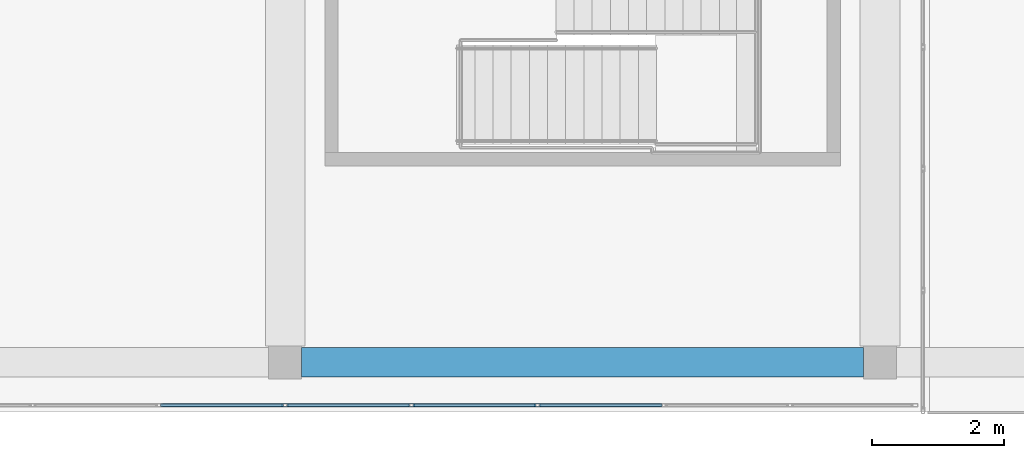
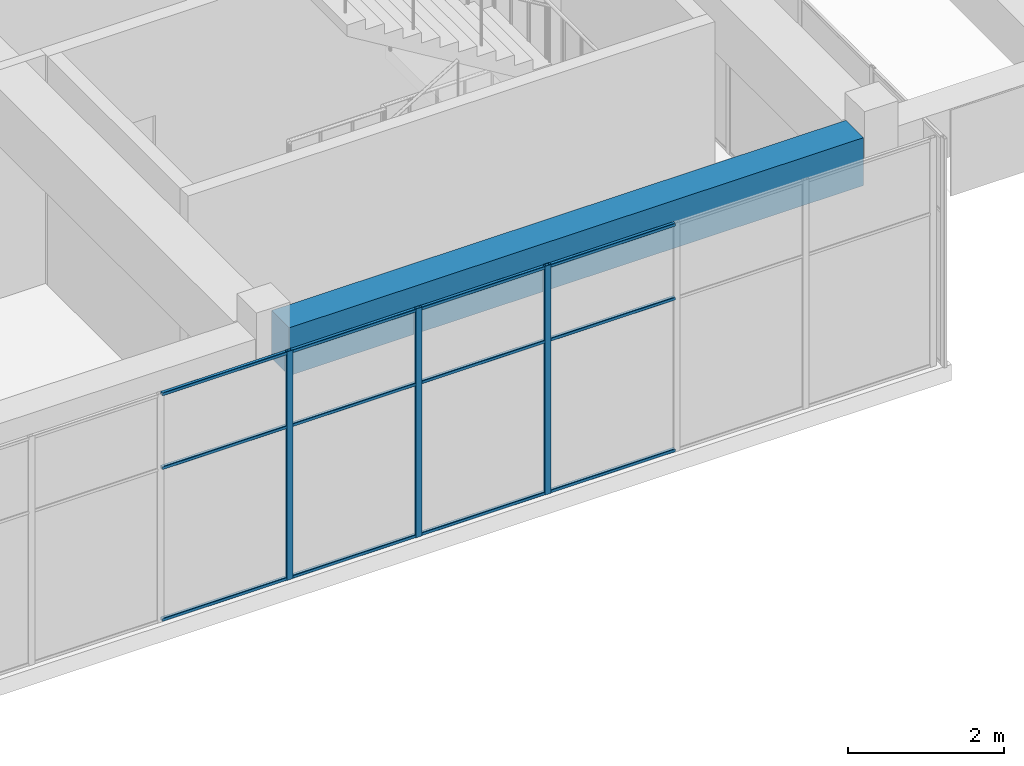
# One storey, part 7 of 36: 15 members, 1 beam, 1 element without a shape of its own.
"""IFC4 building model written with IfcOpenShell, lengths in metres."""

from ifc_helpers import new_model, si_unit, direction, frame, origin, origin_2d, place, context, subcontext, project, spatial, rectangle, hollow_rectangle, extrude, material, layer, layer_set, material_profile, profile_set, type_object, element, aggregate, save


model = new_model("IFC4")

# Units and contexts
model_context = context("Model", 3, precision=1e-05, world=origin(), true_north=direction((0.0, 1.0)))
body_context = subcontext(model_context, "Body", "Model", "MODEL_VIEW")
ifc_project = project(units=[si_unit("LENGTHUNIT", "METRE"), si_unit("AREAUNIT", "SQUARE_METRE"), si_unit("VOLUMEUNIT", "CUBIC_METRE"), si_unit("PLANEANGLEUNIT", "RADIAN"), si_unit("MASSUNIT", "GRAM", prefix="KILO")], contexts=[model_context])

# Site, building, storey
site_placement = place(None, origin())
site = spatial("IfcSite", under=ifc_project, at=site_placement, CompositionType="ELEMENT")
building_placement = place(site_placement, origin())
building = spatial("IfcBuilding", under=site, at=building_placement, Name="Tuart Plaza Theatre", CompositionType="ELEMENT")
storey_placement = place(building_placement, frame((0.0, 0.0, 61.5)))
storey = spatial("IfcBuildingStorey", under=building, at=storey_placement, Name="L15", CompositionType="ELEMENT", Elevation=61.5)

# Beam
ifc_material_1 = material(Name="Concrete N40 (40 MPa)", Category="concrete")
ifc_material_profile_1 = material_profile(ifc_material_1, rectangle(XDim=0.449951171875, YDim=0.75, at=origin_2d()), Name="BEAM 450x750 Concrete N40 (40 MPa)")
ifc_profile_set_1 = profile_set([ifc_material_profile_1], Name="Concrete N40 (40 MPa)")
beam_type = type_object("IfcBeamType", Name="BEAM 450x750 Concrete N40 (40 MPa)", PredefinedType="BEAM", material=ifc_profile_set_1)
beam_placement = place(storey_placement, frame((132.25, 56.0, 3.205078125), z_axis=(1.0, 0.0, 0.0), x_axis=(0.0, 1.0, 0.0)))
element("IfcBeam", 1, at=beam_placement, inside=storey, type_object=beam_type, Name="RB334", PredefinedType="BEAM", context=body_context, shape_type="SweptSolid", body=[
    extrude(rectangle(XDim=0.449951171875, YDim=0.75, at=origin_2d()), origin(), (0.0, 0.0, 1.0), 8.5),
])

# Curtain wall, members
ifc_material_2 = material(Name="Aluminium and glass", Category="aluminium")
ifc_layer = layer(ifc_material_2, 0.10009765625)
ifc_layer_set = layer_set([ifc_layer], Name="CURTAIN WALL 2000 module")
curtain_wall_type = type_object("IfcCurtainWallType", Name="CURTAIN WALL 2000 module", PredefinedType="NOTDEFINED", material=ifc_layer_set)
curtain_wall_placement = place(storey_placement, origin())
curtain_wall = element("IfcCurtainWall", 2, at=curtain_wall_placement, inside=storey, type_object=curtain_wall_type, Name="CW122", PredefinedType="NOTDEFINED")
ifc_material_3 = material(Name="Aluminium 6063-T5", Category="aluminium")
ifc_material_profile_2 = material_profile(ifc_material_3, hollow_rectangle(XDim=0.050048828125, YDim=0.10009765625, WallThickness=0.00390625, InnerFilletRadius=0.00390625, OuterFilletRadius=0.008056640625, at=origin_2d()), Name="RHS 100x50x4")
ifc_profile_set_2 = profile_set([ifc_material_profile_2], Name="Aluminium 6063-T5")
member_type_1 = type_object("IfcMemberType", Name="MULLION RHS 100x50x4", PredefinedType="MULLION", material=ifc_profile_set_2)
member_1_placement = place(storey_placement, frame((132.0, 55.35009765625, 0.0), z_axis=(0.0, 0.0, 1.0), x_axis=(0.0, 1.0, 0.0)))
member_1 = element("IfcMember", 3, at=member_1_placement, type_object=member_type_1, Name="CW122 mullion 6", PredefinedType="MULLION", context=body_context, shape_type="SweptSolid", body=[
    extrude(hollow_rectangle(XDim=0.050048828125, YDim=0.10009765625, WallThickness=0.00390625, InnerFilletRadius=0.00390625, OuterFilletRadius=0.008056640625, at=origin_2d()), origin(), (0.0, 0.0, 1.0), 3.580078125),
])
member_2_placement = place(storey_placement, frame((133.909912109375, 55.35009765625, 0.0), z_axis=(0.0, 0.0, 1.0), x_axis=(0.0, 1.0, 0.0)))
member_2 = element("IfcMember", 4, at=member_2_placement, type_object=member_type_1, Name="CW122 mullion 7", PredefinedType="MULLION", context=body_context, shape_type="SweptSolid", body=[
    extrude(hollow_rectangle(XDim=0.050048828125, YDim=0.10009765625, WallThickness=0.00390625, InnerFilletRadius=0.00390625, OuterFilletRadius=0.008056640625, at=origin_2d()), origin(), (0.0, 0.0, 1.0), 3.580078125),
])
member_3_placement = place(storey_placement, frame((135.820068359375, 55.35009765625, 0.0), z_axis=(0.0, 0.0, 1.0), x_axis=(0.0, 1.0, 0.0)))
member_3 = element("IfcMember", 5, at=member_3_placement, type_object=member_type_1, Name="CW122 mullion 8", PredefinedType="MULLION", context=body_context, shape_type="SweptSolid", body=[
    extrude(hollow_rectangle(XDim=0.050048828125, YDim=0.10009765625, WallThickness=0.00390625, InnerFilletRadius=0.00390625, OuterFilletRadius=0.008056640625, at=origin_2d()), origin(), (0.0, 0.0, 1.0), 3.580078125),
])
ifc_material_4 = material(Name="Aluminium 6063-T5", Category="aluminium")
ifc_material_profile_3 = material_profile(ifc_material_4, hollow_rectangle(XDim=0.050048828125, YDim=0.050048828125, WallThickness=0.00390625, InnerFilletRadius=0.00390625, OuterFilletRadius=0.008056640625, at=origin_2d()), Name="RHS 50x50x4")
ifc_profile_set_3 = profile_set([ifc_material_profile_3], Name="Aluminium 6063-T5")
member_type_2 = type_object("IfcMemberType", Name="TRANSOM RHS 50x50x4", PredefinedType="USERDEFINED", material=ifc_profile_set_3)
member_4_placement = place(storey_placement, frame((130.114990234375, 55.35009765625, 0.02490234375), z_axis=(1.0, 0.0, 0.0), x_axis=(0.0, 1.0, 0.0)))
member_4 = element("IfcMember", 6, at=member_4_placement, type_object=member_type_2, Name="CW122 transom 5.1", ObjectType="TRANSOM", PredefinedType="USERDEFINED", context=body_context, shape_type="SweptSolid", body=[
    extrude(hollow_rectangle(XDim=0.050048828125, YDim=0.050048828125, WallThickness=0.00390625, InnerFilletRadius=0.00390625, OuterFilletRadius=0.008056640625, at=origin_2d()), origin(), (0.0, 0.0, 1.0), 1.860107421875),
])
member_5_placement = place(storey_placement, frame((130.114990234375, 55.35009765625, 2.39990234375), z_axis=(1.0, 0.0, 0.0), x_axis=(0.0, 1.0, 0.0)))
member_5 = element("IfcMember", 7, at=member_5_placement, type_object=member_type_2, Name="CW122 transom 5.2", ObjectType="TRANSOM", PredefinedType="USERDEFINED", context=body_context, shape_type="SweptSolid", body=[
    extrude(hollow_rectangle(XDim=0.050048828125, YDim=0.050048828125, WallThickness=0.00390625, InnerFilletRadius=0.00390625, OuterFilletRadius=0.008056640625, at=origin_2d()), origin(), (0.0, 0.0, 1.0), 1.860107421875),
])
member_6_placement = place(storey_placement, frame((130.114990234375, 55.35009765625, 3.554931640625), z_axis=(1.0, 0.0, 0.0), x_axis=(0.0, 1.0, 0.0)))
member_6 = element("IfcMember", 8, at=member_6_placement, type_object=member_type_2, Name="CW122 transom 5.3", ObjectType="TRANSOM", PredefinedType="USERDEFINED", context=body_context, shape_type="SweptSolid", body=[
    extrude(hollow_rectangle(XDim=0.050048828125, YDim=0.050048828125, WallThickness=0.00390625, InnerFilletRadius=0.00390625, OuterFilletRadius=0.008056640625, at=origin_2d()), origin(), (0.0, 0.0, 1.0), 1.860107421875),
])
member_7_placement = place(storey_placement, frame((132.02490234375, 55.35009765625, 0.02490234375), z_axis=(1.0, 0.0, 0.0), x_axis=(0.0, 1.0, 0.0)))
member_7 = element("IfcMember", 9, at=member_7_placement, type_object=member_type_2, Name="CW122 transom 6.1", ObjectType="TRANSOM", PredefinedType="USERDEFINED", context=body_context, shape_type="SweptSolid", body=[
    extrude(hollow_rectangle(XDim=0.050048828125, YDim=0.050048828125, WallThickness=0.00390625, InnerFilletRadius=0.00390625, OuterFilletRadius=0.008056640625, at=origin_2d()), origin(), (0.0, 0.0, 1.0), 1.860107421875),
])
member_8_placement = place(storey_placement, frame((132.02490234375, 55.35009765625, 2.39990234375), z_axis=(1.0, 0.0, 0.0), x_axis=(0.0, 1.0, 0.0)))
member_8 = element("IfcMember", 10, at=member_8_placement, type_object=member_type_2, Name="CW122 transom 6.2", ObjectType="TRANSOM", PredefinedType="USERDEFINED", context=body_context, shape_type="SweptSolid", body=[
    extrude(hollow_rectangle(XDim=0.050048828125, YDim=0.050048828125, WallThickness=0.00390625, InnerFilletRadius=0.00390625, OuterFilletRadius=0.008056640625, at=origin_2d()), origin(), (0.0, 0.0, 1.0), 1.860107421875),
])
member_9_placement = place(storey_placement, frame((132.02490234375, 55.35009765625, 3.554931640625), z_axis=(1.0, 0.0, 0.0), x_axis=(0.0, 1.0, 0.0)))
member_9 = element("IfcMember", 11, at=member_9_placement, type_object=member_type_2, Name="CW122 transom 6.3", ObjectType="TRANSOM", PredefinedType="USERDEFINED", context=body_context, shape_type="SweptSolid", body=[
    extrude(hollow_rectangle(XDim=0.050048828125, YDim=0.050048828125, WallThickness=0.00390625, InnerFilletRadius=0.00390625, OuterFilletRadius=0.008056640625, at=origin_2d()), origin(), (0.0, 0.0, 1.0), 1.860107421875),
])
member_10_placement = place(storey_placement, frame((133.93505859375, 55.35009765625, 0.02490234375), z_axis=(1.0, 0.0, 0.0), x_axis=(0.0, 1.0, 0.0)))
member_10 = element("IfcMember", 12, at=member_10_placement, type_object=member_type_2, Name="CW122 transom 7.1", ObjectType="TRANSOM", PredefinedType="USERDEFINED", context=body_context, shape_type="SweptSolid", body=[
    extrude(hollow_rectangle(XDim=0.050048828125, YDim=0.050048828125, WallThickness=0.00390625, InnerFilletRadius=0.00390625, OuterFilletRadius=0.008056640625, at=origin_2d()), origin(), (0.0, 0.0, 1.0), 1.85986328125),
])
member_11_placement = place(storey_placement, frame((133.93505859375, 55.35009765625, 2.39990234375), z_axis=(1.0, 0.0, 0.0), x_axis=(0.0, 1.0, 0.0)))
member_11 = element("IfcMember", 13, at=member_11_placement, type_object=member_type_2, Name="CW122 transom 7.2", ObjectType="TRANSOM", PredefinedType="USERDEFINED", context=body_context, shape_type="SweptSolid", body=[
    extrude(hollow_rectangle(XDim=0.050048828125, YDim=0.050048828125, WallThickness=0.00390625, InnerFilletRadius=0.00390625, OuterFilletRadius=0.008056640625, at=origin_2d()), origin(), (0.0, 0.0, 1.0), 1.85986328125),
])
member_12_placement = place(storey_placement, frame((133.93505859375, 55.35009765625, 3.554931640625), z_axis=(1.0, 0.0, 0.0), x_axis=(0.0, 1.0, 0.0)))
member_12 = element("IfcMember", 14, at=member_12_placement, type_object=member_type_2, Name="CW122 transom 7.3", ObjectType="TRANSOM", PredefinedType="USERDEFINED", context=body_context, shape_type="SweptSolid", body=[
    extrude(hollow_rectangle(XDim=0.050048828125, YDim=0.050048828125, WallThickness=0.00390625, InnerFilletRadius=0.00390625, OuterFilletRadius=0.008056640625, at=origin_2d()), origin(), (0.0, 0.0, 1.0), 1.85986328125),
])
member_13_placement = place(storey_placement, frame((135.844970703125, 55.35009765625, 0.02490234375), z_axis=(1.0, 0.0, 0.0), x_axis=(0.0, 1.0, 0.0)))
member_13 = element("IfcMember", 15, at=member_13_placement, type_object=member_type_2, Name="CW122 transom 8.1", ObjectType="TRANSOM", PredefinedType="USERDEFINED", context=body_context, shape_type="SweptSolid", body=[
    extrude(hollow_rectangle(XDim=0.050048828125, YDim=0.050048828125, WallThickness=0.00390625, InnerFilletRadius=0.00390625, OuterFilletRadius=0.008056640625, at=origin_2d()), origin(), (0.0, 0.0, 1.0), 1.860107421875),
])
member_14_placement = place(storey_placement, frame((135.844970703125, 55.35009765625, 2.39990234375), z_axis=(1.0, 0.0, 0.0), x_axis=(0.0, 1.0, 0.0)))
member_14 = element("IfcMember", 16, at=member_14_placement, type_object=member_type_2, Name="CW122 transom 8.2", ObjectType="TRANSOM", PredefinedType="USERDEFINED", context=body_context, shape_type="SweptSolid", body=[
    extrude(hollow_rectangle(XDim=0.050048828125, YDim=0.050048828125, WallThickness=0.00390625, InnerFilletRadius=0.00390625, OuterFilletRadius=0.008056640625, at=origin_2d()), origin(), (0.0, 0.0, 1.0), 1.860107421875),
])
member_15_placement = place(storey_placement, frame((135.844970703125, 55.35009765625, 3.554931640625), z_axis=(1.0, 0.0, 0.0), x_axis=(0.0, 1.0, 0.0)))
member_15 = element("IfcMember", 17, at=member_15_placement, type_object=member_type_2, Name="CW122 transom 8.3", ObjectType="TRANSOM", PredefinedType="USERDEFINED", context=body_context, shape_type="SweptSolid", body=[
    extrude(hollow_rectangle(XDim=0.050048828125, YDim=0.050048828125, WallThickness=0.00390625, InnerFilletRadius=0.00390625, OuterFilletRadius=0.008056640625, at=origin_2d()), origin(), (0.0, 0.0, 1.0), 1.860107421875),
])
aggregate(curtain_wall, [member_1, member_2, member_3, member_4, member_5, member_6, member_7, member_8, member_9, member_10, member_11, member_12, member_13, member_14, member_15])

save(model, "model.ifc")
